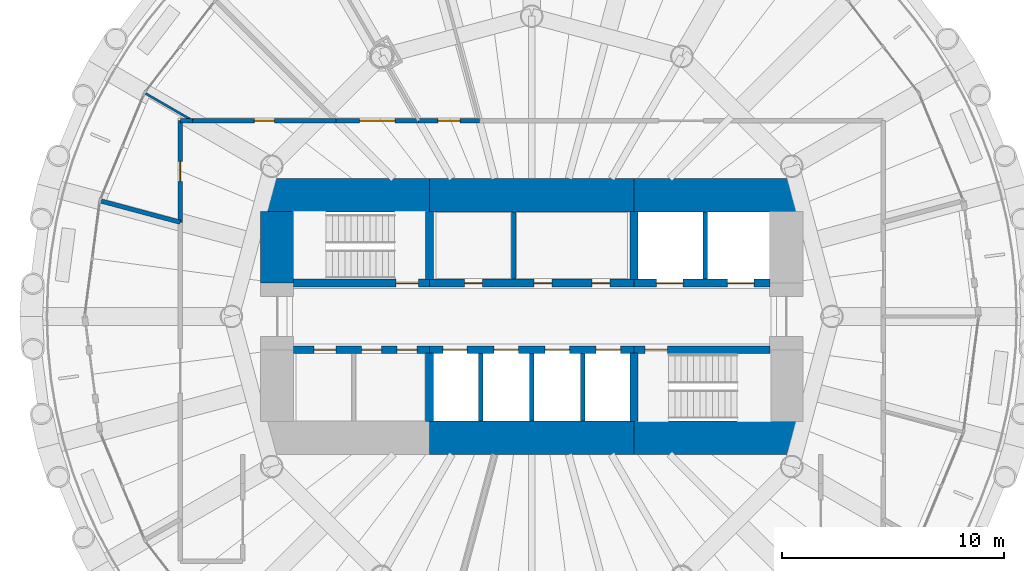
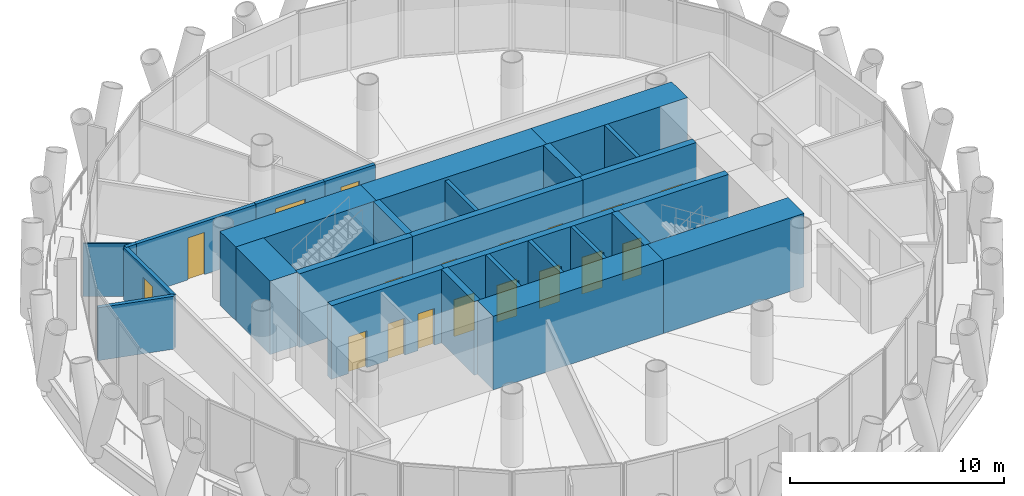
# One storey, part 9 of 14: 28 walls, 18 doors, 18 openings.
"""IFC4 building model written with IfcOpenShell, lengths in metres."""

from ifc_helpers import new_model, si_unit, direction, frame, frame_2d, origin, place, context, subcontext, project, spatial, rectangle, extrude, material, layer, layer_set, type_object, element, fill, save


model = new_model("IFC4")

# Units and contexts
model_context = context("Model", 3, precision=1e-05, world=origin(), true_north=direction((0.0, 1.0)))
body_context = subcontext(model_context, "Body", "Model", "MODEL_VIEW")
ifc_project = project(units=[si_unit("LENGTHUNIT", "METRE"), si_unit("AREAUNIT", "SQUARE_METRE"), si_unit("VOLUMEUNIT", "CUBIC_METRE"), si_unit("PLANEANGLEUNIT", "RADIAN"), si_unit("MASSUNIT", "GRAM", prefix="KILO")], contexts=[model_context])

# Site, building, storey
site_placement = place(None, origin())
site = spatial("IfcSite", under=ifc_project, at=site_placement, CompositionType="ELEMENT")
building_placement = place(site_placement, origin())
building = spatial("IfcBuilding", under=site, at=building_placement, Name="Qaws Media Tower", CompositionType="ELEMENT")
storey_placement = place(building_placement, frame((0.0, 0.0, 227.60009765625)))
storey = spatial("IfcBuildingStorey", under=building, at=storey_placement, Name="L52", CompositionType="ELEMENT", Elevation=227.60009765625)

# Wall, opening, door
ifc_material_1 = material(Name="Concrete C60/75", Category="concrete")
ifc_layer_1 = layer(ifc_material_1, 0.35009765625)
ifc_layer_set_1 = layer_set([ifc_layer_1], Name="Core inner wall 350")
wall_type_1 = type_object("IfcWallType", Name="Core inner wall 350", PredefinedType="SHEAR", material=ifc_layer_set_1)
wall_1_placement = place(storey_placement, frame((49.280029296875, 51.5, 0.0), z_axis=(0.0, 0.0, 1.0), x_axis=(1.0, 0.0, 0.0)))
wall_1 = element("IfcWall", 1, at=wall_1_placement, inside=storey, type_object=wall_type_1, Name="W301 SW5 core wall SPNW L52", PredefinedType="SHEAR", context=body_context, shape_type="SweptSolid", body=[
    extrude(rectangle(XDim=6.119873046875, YDim=0.35009765625, at=frame_2d((3.06005859375, 0.0))), origin(), (0.0, 0.0, 1.0), 4.199951171875),
])
opening_1_placement = place(wall_1_placement, frame((4.6201171875, 0.0, 0.0)))
opening_1 = element("IfcOpeningElement", 2, at=opening_1_placement, cuts=wall_1, Name="Opening D1", PredefinedType="OPENING", context=body_context, shape_type="SweptSolid", body=[
    extrude(rectangle(XDim=1.0, YDim=2.10009765625, at=frame_2d((0.5, 1.050048828125))), frame((0.0, 0.18505859375, 0.0), z_axis=(0.0, -1.0, 0.0), x_axis=(1.0, 0.0, 0.0)), (0.0, 0.0, 1.0), 0.3701171875),
])
ifc_material_2 = material(Name="Steel, fire rated", Category="steel")
door_type_1 = type_object("IfcDoorType", Name="Stair door 1000 FD120", OperationType="SINGLE_SWING_LEFT", PredefinedType="DOOR", material=ifc_material_2)
door_1_placement = place(opening_1_placement, origin())
door_1 = element("IfcDoor", 3, at=door_1_placement, inside=storey, type_object=door_type_1, Name="D1 stair S1 door L52 in wall W301", OperationType="SINGLE_SWING_LEFT", OverallHeight=2.10009765625, OverallWidth=1.0, PredefinedType="DOOR", context=body_context, shape_type="SweptSolid", body=[
    extrude(rectangle(XDim=1.0, YDim=2.10009765625, at=frame_2d((0.5, 1.050048828125))), frame((0.0, 0.02490234375, 0.0), z_axis=(0.0, -1.0, 0.0), x_axis=(1.0, 0.0, 0.0)), (0.0, 0.0, 1.0), 0.050048828125),
])
fill(opening_1, door_1)

# Wall, openings, doors
wall_2_placement = place(storey_placement, frame((55.39990234375, 51.5, 0.0), z_axis=(0.0, 0.0, 1.0), x_axis=(1.0, 0.0, 0.0)))
wall_2 = element("IfcWall", 4, at=wall_2_placement, inside=storey, type_object=wall_type_1, Name="W304 SW5 core wall SPN L52", PredefinedType="SHEAR", context=body_context, shape_type="SweptSolid", body=[
    extrude(rectangle(XDim=9.2001953125, YDim=0.35009765625, at=frame_2d((4.60009765625, 0.0))), origin(), (0.0, 0.0, 1.0), 4.199951171875),
])
opening_2_placement = place(wall_2_placement, frame((1.585205078125, 0.0, 0.0)))
opening_2 = element("IfcOpeningElement", 5, at=opening_2_placement, cuts=wall_2, Name="Opening D23", PredefinedType="OPENING", context=body_context, shape_type="SweptSolid", body=[
    extrude(rectangle(XDim=0.800048828125, YDim=2.10009765625, at=frame_2d((0.39990234375, 1.050048828125))), frame((0.0, 0.18505859375, 0.0), z_axis=(0.0, -1.0, 0.0), x_axis=(1.0, 0.0, 0.0)), (0.0, 0.0, 1.0), 0.3701171875),
])
opening_3_placement = place(wall_2_placement, frame((4.702880859375, 0.0, 0.0)))
opening_3 = element("IfcOpeningElement", 6, at=opening_3_placement, cuts=wall_2, Name="Opening D23", PredefinedType="OPENING", context=body_context, shape_type="SweptSolid", body=[
    extrude(rectangle(XDim=0.800048828125, YDim=2.10009765625, at=frame_2d((0.39990234375, 1.050048828125))), frame((0.0, 0.18505859375, 0.0), z_axis=(0.0, -1.0, 0.0), x_axis=(1.0, 0.0, 0.0)), (0.0, 0.0, 1.0), 0.3701171875),
])
opening_4_placement = place(wall_2_placement, frame((7.317626953125, 0.0, 0.0)))
opening_4 = element("IfcOpeningElement", 7, at=opening_4_placement, cuts=wall_2, Name="Opening D23", PredefinedType="OPENING", context=body_context, shape_type="SweptSolid", body=[
    extrude(rectangle(XDim=0.800048828125, YDim=2.10009765625, at=frame_2d((0.39990234375, 1.050048828125))), frame((0.0, 0.18505859375, 0.0), z_axis=(0.0, -1.0, 0.0), x_axis=(1.0, 0.0, 0.0)), (0.0, 0.0, 1.0), 0.3701171875),
])
ifc_material_3 = material(Name="Steel, fire rated", Category="steel")
door_type_2 = type_object("IfcDoorType", Name="Core room door 800x2100", OperationType="SINGLE_SWING_LEFT", PredefinedType="DOOR", material=ifc_material_3)
door_2_placement = place(opening_2_placement, origin())
door_2 = element("IfcDoor", 8, at=door_2_placement, inside=storey, type_object=door_type_2, Name="D23 Ladies toilets door L52 in wall W304", OperationType="SINGLE_SWING_LEFT", OverallHeight=2.10009765625, OverallWidth=0.800048828125, PredefinedType="DOOR", context=body_context, shape_type="SweptSolid", body=[
    extrude(rectangle(XDim=0.800048828125, YDim=2.10009765625, at=frame_2d((0.39990234375, 1.050048828125))), frame((0.0, 0.02490234375, 0.0), z_axis=(0.0, -1.0, 0.0), x_axis=(1.0, 0.0, 0.0)), (0.0, 0.0, 1.0), 0.050048828125),
])
fill(opening_2, door_2)
door_3_placement = place(opening_3_placement, origin())
door_3 = element("IfcDoor", 9, at=door_3_placement, inside=storey, type_object=door_type_2, Name="D23 Gents toilets door L52 2 in wall W304", OperationType="SINGLE_SWING_LEFT", OverallHeight=2.10009765625, OverallWidth=0.800048828125, PredefinedType="DOOR", context=body_context, shape_type="SweptSolid", body=[
    extrude(rectangle(XDim=0.800048828125, YDim=2.10009765625, at=frame_2d((0.39990234375, 1.050048828125))), frame((0.0, 0.02490234375, 0.0), z_axis=(0.0, -1.0, 0.0), x_axis=(1.0, 0.0, 0.0)), (0.0, 0.0, 1.0), 0.050048828125),
])
fill(opening_3, door_3)
door_4_placement = place(opening_4_placement, origin())
door_4 = element("IfcDoor", 10, at=door_4_placement, inside=storey, type_object=door_type_2, Name="D23 Gents toilets door L52 3 in wall W304", OperationType="SINGLE_SWING_LEFT", OverallHeight=2.10009765625, OverallWidth=0.800048828125, PredefinedType="DOOR", context=body_context, shape_type="SweptSolid", body=[
    extrude(rectangle(XDim=0.800048828125, YDim=2.10009765625, at=frame_2d((0.39990234375, 1.050048828125))), frame((0.0, 0.02490234375, 0.0), z_axis=(0.0, -1.0, 0.0), x_axis=(1.0, 0.0, 0.0)), (0.0, 0.0, 1.0), 0.050048828125),
])
fill(opening_4, door_4)

wall_3_placement = place(storey_placement, frame((64.60009765625, 51.5, 0.0), z_axis=(0.0, 0.0, 1.0), x_axis=(1.0, 0.0, 0.0)))
wall_3 = element("IfcWall", 11, at=wall_3_placement, inside=storey, type_object=wall_type_1, Name="W308 SW5 core wall SPNE L52", PredefinedType="SHEAR", context=body_context, shape_type="SweptSolid", body=[
    extrude(rectangle(XDim=6.119873046875, YDim=0.35009765625, at=frame_2d((3.06005859375, 0.0))), origin(), (0.0, 0.0, 1.0), 4.199951171875),
])
opening_5_placement = place(wall_3_placement, frame((1.0, 0.0, 0.0)))
opening_5 = element("IfcOpeningElement", 12, at=opening_5_placement, cuts=wall_3, Name="Opening LD2", PredefinedType="OPENING", context=body_context, shape_type="SweptSolid", body=[
    extrude(rectangle(XDim=1.199951171875, YDim=2.10009765625, at=frame_2d((0.60009765625, 1.050048828125))), frame((0.0, 0.18505859375, 0.0), z_axis=(0.0, -1.0, 0.0), x_axis=(1.0, 0.0, 0.0)), (0.0, 0.0, 1.0), 0.3701171875),
])
opening_6_placement = place(wall_3_placement, frame((4.199951171875, 0.0, 0.0)))
opening_6 = element("IfcOpeningElement", 13, at=opening_6_placement, cuts=wall_3, Name="Opening LD2", PredefinedType="OPENING", context=body_context, shape_type="SweptSolid", body=[
    extrude(rectangle(XDim=1.199951171875, YDim=2.10009765625, at=frame_2d((0.60009765625, 1.050048828125))), frame((0.0, 0.18505859375, 0.0), z_axis=(0.0, -1.0, 0.0), x_axis=(1.0, 0.0, 0.0)), (0.0, 0.0, 1.0), 0.3701171875),
])
ifc_material_4 = material(Name="Steel, fire rated", Category="steel")
door_type_3 = type_object("IfcDoorType", Name="Lift landing door 1200", OperationType="SLIDING_TO_LEFT", PredefinedType="DOOR", material=ifc_material_4)
door_5_placement = place(opening_5_placement, origin())
door_5 = element("IfcDoor", 14, at=door_5_placement, inside=storey, type_object=door_type_3, Name="FL1 landing door L52 in wall W308", OperationType="SLIDING_TO_LEFT", OverallHeight=2.10009765625, OverallWidth=1.199951171875, PredefinedType="DOOR", context=body_context, shape_type="SweptSolid", body=[
    extrude(rectangle(XDim=1.199951171875, YDim=2.10009765625, at=frame_2d((0.60009765625, 1.050048828125))), frame((0.0, 0.02490234375, 0.0), z_axis=(0.0, -1.0, 0.0), x_axis=(1.0, 0.0, 0.0)), (0.0, 0.0, 1.0), 0.050048828125),
])
fill(opening_5, door_5)
door_6_placement = place(opening_6_placement, origin())
door_6 = element("IfcDoor", 15, at=door_6_placement, inside=storey, type_object=door_type_3, Name="FL2 landing door L52 in wall W308", OperationType="SLIDING_TO_LEFT", OverallHeight=2.10009765625, OverallWidth=1.199951171875, PredefinedType="DOOR", context=body_context, shape_type="SweptSolid", body=[
    extrude(rectangle(XDim=1.199951171875, YDim=2.10009765625, at=frame_2d((0.60009765625, 1.050048828125))), frame((0.0, 0.02490234375, 0.0), z_axis=(0.0, -1.0, 0.0), x_axis=(1.0, 0.0, 0.0)), (0.0, 0.0, 1.0), 0.050048828125),
])
fill(opening_6, door_6)

wall_4_placement = place(storey_placement, frame((49.280029296875, 48.5, 0.0), z_axis=(0.0, 0.0, 1.0), x_axis=(1.0, 0.0, 0.0)))
wall_4 = element("IfcWall", 16, at=wall_4_placement, inside=storey, type_object=wall_type_1, Name="W300 SW5 core wall SPSW L52", PredefinedType="SHEAR", context=body_context, shape_type="SweptSolid", body=[
    extrude(rectangle(XDim=6.119873046875, YDim=0.35009765625, at=frame_2d((3.06005859375, 0.0))), origin(), (0.0, 0.0, 1.0), 4.199951171875),
])
opening_7_placement = place(wall_4_placement, frame((0.919921875, 0.0, 0.0)))
opening_7 = element("IfcOpeningElement", 17, at=opening_7_placement, cuts=wall_4, Name="Opening D4", PredefinedType="OPENING", context=body_context, shape_type="SweptSolid", body=[
    extrude(rectangle(XDim=1.0, YDim=2.10009765625, at=frame_2d((0.5, 1.050048828125))), frame((0.0, 0.18505859375, 0.0), z_axis=(0.0, -1.0, 0.0), x_axis=(1.0, 0.0, 0.0)), (0.0, 0.0, 1.0), 0.3701171875),
])
opening_8_placement = place(wall_4_placement, frame((3.070068359375, 0.0, 0.0)))
opening_8 = element("IfcOpeningElement", 18, at=opening_8_placement, cuts=wall_4, Name="Opening D3", PredefinedType="OPENING", context=body_context, shape_type="SweptSolid", body=[
    extrude(rectangle(XDim=0.89990234375, YDim=2.10009765625, at=frame_2d((0.449951171875, 1.050048828125))), frame((0.0, 0.18505859375, 0.0), z_axis=(0.0, -1.0, 0.0), x_axis=(1.0, 0.0, 0.0)), (0.0, 0.0, 1.0), 0.3701171875),
])
opening_9_placement = place(wall_4_placement, frame((4.669921875, 0.0, 0.0)))
opening_9 = element("IfcOpeningElement", 19, at=opening_9_placement, cuts=wall_4, Name="Opening D3", PredefinedType="OPENING", context=body_context, shape_type="SweptSolid", body=[
    extrude(rectangle(XDim=0.89990234375, YDim=2.10009765625, at=frame_2d((0.449951171875, 1.050048828125))), frame((0.0, 0.18505859375, 0.0), z_axis=(0.0, -1.0, 0.0), x_axis=(1.0, 0.0, 0.0)), (0.0, 0.0, 1.0), 0.3701171875),
])
ifc_material_5 = material(Name="Timber veneered", Category="wood")
door_type_4 = type_object("IfcDoorType", Name="Accessible WC door 1000", OperationType="SLIDING_TO_LEFT", PredefinedType="DOOR", material=ifc_material_5)
door_7_placement = place(opening_7_placement, origin())
door_7 = element("IfcDoor", 20, at=door_7_placement, inside=storey, type_object=door_type_4, Name="D4 toilet door 1 L52 in wall W300", OperationType="SLIDING_TO_LEFT", OverallHeight=2.10009765625, OverallWidth=1.0, PredefinedType="DOOR", context=body_context, shape_type="SweptSolid", body=[
    extrude(rectangle(XDim=1.0, YDim=2.10009765625, at=frame_2d((0.5, 1.050048828125))), frame((0.0, 0.02490234375, 0.0), z_axis=(0.0, -1.0, 0.0), x_axis=(1.0, 0.0, 0.0)), (0.0, 0.0, 1.0), 0.050048828125),
])
fill(opening_7, door_7)
ifc_material_6 = material(Name="Timber veneered", Category="wood")
door_type_5 = type_object("IfcDoorType", Name="Toilet door 900", OperationType="SINGLE_SWING_RIGHT", PredefinedType="DOOR", material=ifc_material_6)
door_8_placement = place(opening_8_placement, origin())
door_8 = element("IfcDoor", 21, at=door_8_placement, inside=storey, type_object=door_type_5, Name="D3 toilet door 2 L52 in wall W300", OperationType="SINGLE_SWING_RIGHT", OverallHeight=2.10009765625, OverallWidth=0.89990234375, PredefinedType="DOOR", context=body_context, shape_type="SweptSolid", body=[
    extrude(rectangle(XDim=0.89990234375, YDim=2.10009765625, at=frame_2d((0.449951171875, 1.050048828125))), frame((0.0, 0.02490234375, 0.0), z_axis=(0.0, -1.0, 0.0), x_axis=(1.0, 0.0, 0.0)), (0.0, 0.0, 1.0), 0.050048828125),
])
fill(opening_8, door_8)
door_9_placement = place(opening_9_placement, origin())
door_9 = element("IfcDoor", 22, at=door_9_placement, inside=storey, type_object=door_type_5, Name="D3 toilet door 3 L52 in wall W300", OperationType="SINGLE_SWING_RIGHT", OverallHeight=2.10009765625, OverallWidth=0.89990234375, PredefinedType="DOOR", context=body_context, shape_type="SweptSolid", body=[
    extrude(rectangle(XDim=0.89990234375, YDim=2.10009765625, at=frame_2d((0.449951171875, 1.050048828125))), frame((0.0, 0.02490234375, 0.0), z_axis=(0.0, -1.0, 0.0), x_axis=(1.0, 0.0, 0.0)), (0.0, 0.0, 1.0), 0.050048828125),
])
fill(opening_9, door_9)

wall_5_placement = place(storey_placement, frame((55.39990234375, 48.5, 0.0), z_axis=(0.0, 0.0, 1.0), x_axis=(1.0, 0.0, 0.0)))
wall_5 = element("IfcWall", 23, at=wall_5_placement, inside=storey, type_object=wall_type_1, Name="W303 SW5 core wall SPS L52", PredefinedType="SHEAR", context=body_context, shape_type="SweptSolid", body=[
    extrude(rectangle(XDim=9.2001953125, YDim=0.35009765625, at=frame_2d((4.60009765625, 0.0))), origin(), (0.0, 0.0, 1.0), 4.199951171875),
])
opening_10_placement = place(wall_5_placement, frame((0.60009765625, 0.0, 0.0)))
opening_10 = element("IfcOpeningElement", 24, at=opening_10_placement, cuts=wall_5, Name="Opening LD", PredefinedType="OPENING", context=body_context, shape_type="SweptSolid", body=[
    extrude(rectangle(XDim=1.10009765625, YDim=2.10009765625, at=frame_2d((0.550048828125, 1.050048828125))), frame((0.0, 0.18505859375, 0.0), z_axis=(0.0, -1.0, 0.0), x_axis=(1.0, 0.0, 0.0)), (0.0, 0.0, 1.0), 0.3701171875),
])
opening_11_placement = place(wall_5_placement, frame((2.89990234375, 0.0, 0.0)))
opening_11 = element("IfcOpeningElement", 25, at=opening_11_placement, cuts=wall_5, Name="Opening LD", PredefinedType="OPENING", context=body_context, shape_type="SweptSolid", body=[
    extrude(rectangle(XDim=1.10009765625, YDim=2.10009765625, at=frame_2d((0.550048828125, 1.050048828125))), frame((0.0, 0.18505859375, 0.0), z_axis=(0.0, -1.0, 0.0), x_axis=(1.0, 0.0, 0.0)), (0.0, 0.0, 1.0), 0.3701171875),
])
opening_12_placement = place(wall_5_placement, frame((5.199951171875, 0.0, 0.0)))
opening_12 = element("IfcOpeningElement", 26, at=opening_12_placement, cuts=wall_5, Name="Opening LD", PredefinedType="OPENING", context=body_context, shape_type="SweptSolid", body=[
    extrude(rectangle(XDim=1.10009765625, YDim=2.10009765625, at=frame_2d((0.550048828125, 1.050048828125))), frame((0.0, 0.18505859375, 0.0), z_axis=(0.0, -1.0, 0.0), x_axis=(1.0, 0.0, 0.0)), (0.0, 0.0, 1.0), 0.3701171875),
])
opening_13_placement = place(wall_5_placement, frame((7.5, 0.0, 0.0)))
opening_13 = element("IfcOpeningElement", 27, at=opening_13_placement, cuts=wall_5, Name="Opening LD", PredefinedType="OPENING", context=body_context, shape_type="SweptSolid", body=[
    extrude(rectangle(XDim=1.10009765625, YDim=2.10009765625, at=frame_2d((0.550048828125, 1.050048828125))), frame((0.0, 0.18505859375, 0.0), z_axis=(0.0, -1.0, 0.0), x_axis=(1.0, 0.0, 0.0)), (0.0, 0.0, 1.0), 0.3701171875),
])
ifc_material_7 = material(Name="Steel, fire rated", Category="steel")
door_type_6 = type_object("IfcDoorType", Name="Lift landing door 1100", OperationType="SLIDING_TO_LEFT", PredefinedType="DOOR", material=ifc_material_7)
door_10_placement = place(opening_10_placement, origin())
door_10 = element("IfcDoor", 28, at=door_10_placement, inside=storey, type_object=door_type_6, Name="P5 landing door L52 in wall W303", OperationType="SLIDING_TO_LEFT", OverallHeight=2.10009765625, OverallWidth=1.10009765625, PredefinedType="DOOR", context=body_context, shape_type="SweptSolid", body=[
    extrude(rectangle(XDim=1.10009765625, YDim=2.10009765625, at=frame_2d((0.550048828125, 1.050048828125))), frame((0.0, 0.02490234375, 0.0), z_axis=(0.0, -1.0, 0.0), x_axis=(1.0, 0.0, 0.0)), (0.0, 0.0, 1.0), 0.050048828125),
])
fill(opening_10, door_10)
door_11_placement = place(opening_11_placement, origin())
door_11 = element("IfcDoor", 29, at=door_11_placement, inside=storey, type_object=door_type_6, Name="P6 landing door L52 in wall W303", OperationType="SLIDING_TO_LEFT", OverallHeight=2.10009765625, OverallWidth=1.10009765625, PredefinedType="DOOR", context=body_context, shape_type="SweptSolid", body=[
    extrude(rectangle(XDim=1.10009765625, YDim=2.10009765625, at=frame_2d((0.550048828125, 1.050048828125))), frame((0.0, 0.02490234375, 0.0), z_axis=(0.0, -1.0, 0.0), x_axis=(1.0, 0.0, 0.0)), (0.0, 0.0, 1.0), 0.050048828125),
])
fill(opening_11, door_11)
door_12_placement = place(opening_12_placement, origin())
door_12 = element("IfcDoor", 30, at=door_12_placement, inside=storey, type_object=door_type_6, Name="P7 landing door L52 in wall W303", OperationType="SLIDING_TO_LEFT", OverallHeight=2.10009765625, OverallWidth=1.10009765625, PredefinedType="DOOR", context=body_context, shape_type="SweptSolid", body=[
    extrude(rectangle(XDim=1.10009765625, YDim=2.10009765625, at=frame_2d((0.550048828125, 1.050048828125))), frame((0.0, 0.02490234375, 0.0), z_axis=(0.0, -1.0, 0.0), x_axis=(1.0, 0.0, 0.0)), (0.0, 0.0, 1.0), 0.050048828125),
])
fill(opening_12, door_12)
door_13_placement = place(opening_13_placement, origin())
door_13 = element("IfcDoor", 31, at=door_13_placement, inside=storey, type_object=door_type_6, Name="P8 landing door L52 in wall W303", OperationType="SLIDING_TO_LEFT", OverallHeight=2.10009765625, OverallWidth=1.10009765625, PredefinedType="DOOR", context=body_context, shape_type="SweptSolid", body=[
    extrude(rectangle(XDim=1.10009765625, YDim=2.10009765625, at=frame_2d((0.550048828125, 1.050048828125))), frame((0.0, 0.02490234375, 0.0), z_axis=(0.0, -1.0, 0.0), x_axis=(1.0, 0.0, 0.0)), (0.0, 0.0, 1.0), 0.050048828125),
])
fill(opening_13, door_13)

# Wall, opening, door
wall_6_placement = place(storey_placement, frame((64.60009765625, 48.5, 0.0), z_axis=(0.0, 0.0, 1.0), x_axis=(1.0, 0.0, 0.0)))
wall_6 = element("IfcWall", 32, at=wall_6_placement, inside=storey, type_object=wall_type_1, Name="W307 SW5 core wall SPSE L52", PredefinedType="SHEAR", context=body_context, shape_type="SweptSolid", body=[
    extrude(rectangle(XDim=6.119873046875, YDim=0.35009765625, at=frame_2d((3.06005859375, 0.0))), origin(), (0.0, 0.0, 1.0), 4.199951171875),
])
opening_14_placement = place(wall_6_placement, frame((0.5, 0.0, 0.0)))
opening_14 = element("IfcOpeningElement", 33, at=opening_14_placement, cuts=wall_6, Name="Opening D1", PredefinedType="OPENING", context=body_context, shape_type="SweptSolid", body=[
    extrude(rectangle(XDim=1.0, YDim=2.10009765625, at=frame_2d((0.5, 1.050048828125))), frame((0.0, 0.18505859375, 0.0), z_axis=(0.0, -1.0, 0.0), x_axis=(1.0, 0.0, 0.0)), (0.0, 0.0, 1.0), 0.3701171875),
])
door_14_placement = place(opening_14_placement, origin())
door_14 = element("IfcDoor", 34, at=door_14_placement, inside=storey, type_object=door_type_1, Name="D1 stair S2 door L52 in wall W307", OperationType="SINGLE_SWING_LEFT", OverallHeight=2.10009765625, OverallWidth=1.0, PredefinedType="DOOR", context=body_context, shape_type="SweptSolid", body=[
    extrude(rectangle(XDim=1.0, YDim=2.10009765625, at=frame_2d((0.5, 1.050048828125))), frame((0.0, 0.02490234375, 0.0), z_axis=(0.0, -1.0, 0.0), x_axis=(1.0, 0.0, 0.0)), (0.0, 0.0, 1.0), 0.050048828125),
])
fill(opening_14, door_14)

# Walls
for number, where, z_axis, x_axis, name in (
    (35, (55.39990234375, 51.655029296875, 0.0), (0.0, 0.0, 1.0), (0.0, 1.0, 0.0), "W305 SW5 core wall XNW L52"),
    (36, (64.60009765625, 51.655029296875, 0.0), (0.0, 0.0, 1.0), (0.0, 1.0, 0.0), "W309 SW5 core wall XNE L52"),
    (37, (55.39990234375, 48.344970703125, 0.0), (0.0, 0.0, 1.0), (0.0, -1.0, 0.0), "W302 SW5 core wall XSW L52"),
    (38, (64.60009765625, 48.344970703125, 0.0), (0.0, 0.0, 1.0), (0.0, -1.0, 0.0), "W306 SW5 core wall XSE L52"),
):
    element("IfcWall", number, at=place(storey_placement, frame(where, z_axis=z_axis, x_axis=x_axis)), inside=storey, type_object=wall_type_1, Name=name, PredefinedType="SHEAR", context=body_context, shape_type="SweptSolid", body=[
        extrude(rectangle(XDim=3.06494140625, YDim=0.35009765625, at=frame_2d((1.532470703125, 0.0))), origin(), (0.0, 0.0, 1.0), 4.199951171875),
    ])
ifc_material_8 = material(Name="Concrete C60/75", Category="concrete")
ifc_layer_2 = layer(ifc_material_8, 1.5)
ifc_layer_set_2 = layer_set([ifc_layer_2], Name="Core wall 1500")
wall_type_2 = type_object("IfcWallType", Name="Core wall 1500", PredefinedType="SHEAR", material=ifc_layer_set_2)
wall_7_placement = place(storey_placement, frame((47.800048828125, 55.449951171875, 0.0), z_axis=(0.0, 0.0, 1.0), x_axis=(1.0, 0.0, 0.0)))
element("IfcWall", 39, at=wall_7_placement, inside=storey, type_object=wall_type_2, Name="W377 SW13 core wall NW L52", PredefinedType="SHEAR", context=body_context, shape_type="SweptSolid", body=[
    extrude(rectangle(XDim=7.599853515625, YDim=1.5, at=frame_2d((3.7998046875, 0.0))), origin(), (0.0, 0.0, 1.0), 4.199951171875),
])
wall_8_placement = place(storey_placement, frame((55.39990234375, 55.449951171875, 0.0), z_axis=(0.0, 0.0, 1.0), x_axis=(1.0, 0.0, 0.0)))
element("IfcWall", 40, at=wall_8_placement, inside=storey, type_object=wall_type_2, Name="W373 SW13 core wall N L52", PredefinedType="SHEAR", context=body_context, shape_type="SweptSolid", body=[
    extrude(rectangle(XDim=9.2001953125, YDim=1.5, at=frame_2d((4.60009765625, 0.0))), origin(), (0.0, 0.0, 1.0), 4.199951171875),
])
wall_9_placement = place(storey_placement, frame((64.60009765625, 55.449951171875, 0.0), z_axis=(0.0, 0.0, 1.0), x_axis=(1.0, 0.0, 0.0)))
element("IfcWall", 41, at=wall_9_placement, inside=storey, type_object=wall_type_2, Name="W382 SW13 core wall NE L52", PredefinedType="SHEAR", context=body_context, shape_type="SweptSolid", body=[
    extrude(rectangle(XDim=7.599853515625, YDim=1.5, at=frame_2d((3.7998046875, 0.0))), origin(), (0.0, 0.0, 1.0), 4.199951171875),
])
wall_10_placement = place(storey_placement, frame((55.39990234375, 44.550048828125, 0.0), z_axis=(0.0, 0.0, 1.0), x_axis=(1.0, 0.0, 0.0)))
element("IfcWall", 42, at=wall_10_placement, inside=storey, type_object=wall_type_2, Name="W372 SW13 core wall S L52", PredefinedType="SHEAR", context=body_context, shape_type="SweptSolid", body=[
    extrude(rectangle(XDim=9.2001953125, YDim=1.5, at=frame_2d((4.60009765625, 0.0))), origin(), (0.0, 0.0, 1.0), 4.199951171875),
])
wall_11_placement = place(storey_placement, frame((64.60009765625, 44.550048828125, 0.0), z_axis=(0.0, 0.0, 1.0), x_axis=(1.0, 0.0, 0.0)))
element("IfcWall", 43, at=wall_11_placement, inside=storey, type_object=wall_type_2, Name="W381 SW13 core wall SE L52", PredefinedType="SHEAR", context=body_context, shape_type="SweptSolid", body=[
    extrude(rectangle(XDim=7.599853515625, YDim=1.5, at=frame_2d((3.7998046875, 0.0))), origin(), (0.0, 0.0, 1.0), 4.199951171875),
])
wall_12_placement = place(storey_placement, frame((48.550048828125, 51.5, 0.0), z_axis=(0.0, 0.0, 1.0), x_axis=(0.0, 1.0, 0.0)))
element("IfcWall", 44, at=wall_12_placement, inside=storey, type_object=wall_type_2, Name="W380 SW13 core wall WN L52", PredefinedType="SHEAR", context=body_context, shape_type="SweptSolid", body=[
    extrude(rectangle(XDim=3.219970703125, YDim=1.5, at=frame_2d((1.60986328125, 0.0))), origin(), (0.0, 0.0, 1.0), 4.199951171875),
])
ifc_material_9 = material(Name="Gypsum board on 70 metal studs, single layer each side", Category="gypsum")
ifc_layer_3 = layer(ifc_material_9, 0.10009765625)
ifc_layer_set_3 = layer_set([ifc_layer_3], Name="Office stud partition 100")
wall_type_3 = type_object("IfcWallType", Name="Office stud partition 100", PredefinedType="PARTITIONING", material=ifc_layer_set_3)
wall_13_placement = place(storey_placement, frame((44.758056640625, 58.800048828125, 0.0), z_axis=(0.0, 0.0, 1.0), x_axis=(-0.86604842682, 0.499960120811, 0.0)))
element("IfcWall", 45, at=wall_13_placement, inside=storey, type_object=wall_type_3, Name="W693 IW4 partition L52", PredefinedType="PARTITIONING", context=body_context, shape_type="SweptSolid", body=[
    extrude(rectangle(XDim=2.460205078125, YDim=0.10009765625, at=frame_2d((1.22998046875, 0.0))), origin(), (0.0, 0.0, 1.0), 3.02001953125),
])
ifc_material_10 = material(Name="Gypsum board on galvanised metal studs, acoustic double stud, deflection head", Category="gypsum")
ifc_layer_4 = layer(ifc_material_10, 0.199951171875)
ifc_layer_set_4 = layer_set([ifc_layer_4], Name="Room partition 200")
wall_type_4 = type_object("IfcWallType", Name="Room partition 200", PredefinedType="PARTITIONING", material=ifc_layer_set_4)
wall_14_placement = place(storey_placement, frame((44.199951171875, 58.800048828125, 0.0), z_axis=(0.0, 0.0, 1.0), x_axis=(1.0, 0.0, 0.0)))
element("IfcWall", 46, at=wall_14_placement, inside=storey, type_object=wall_type_4, Name="W1613 IW3 partition L52", PredefinedType="PARTITIONING", context=body_context, shape_type="SweptSolid", body=[
    extrude(rectangle(XDim=0.55810546875, YDim=0.199951171875, at=frame_2d((0.279052734375, 0.0))), origin(), (0.0, 0.0, 1.0), 3.02001953125),
])

# Wall, opening, door
wall_15_placement = place(storey_placement, frame((44.758056640625, 58.800048828125, 0.0), z_axis=(0.0, 0.0, 1.0), x_axis=(1.0, 0.0, 0.0)))
wall_15 = element("IfcWall", 47, at=wall_15_placement, inside=storey, type_object=wall_type_4, Name="W1615 IW3 partition L52", PredefinedType="PARTITIONING", context=body_context, shape_type="SweptSolid", body=[
    extrude(rectangle(XDim=6.44189453125, YDim=0.199951171875, at=frame_2d((3.220947265625, 0.0))), origin(), (0.0, 0.0, 1.0), 3.02001953125),
])
opening_15_placement = place(wall_15_placement, frame((2.77099609375, 0.0, 0.0)))
opening_15 = element("IfcOpeningElement", 48, at=opening_15_placement, cuts=wall_15, Name="Opening D12", PredefinedType="OPENING", context=body_context, shape_type="SweptSolid", body=[
    extrude(rectangle(XDim=0.89990234375, YDim=2.39990234375, at=frame_2d((0.449951171875, 1.199951171875))), frame((0.0, 0.10986328125, 0.0), z_axis=(0.0, -1.0, 0.0), x_axis=(1.0, 0.0, 0.0)), (0.0, 0.0, 1.0), 0.219970703125),
])
ifc_material_11 = material(Name="Timber veneered, full height", Category="wood")
door_type_7 = type_object("IfcDoorType", Name="Office door 900x2400", OperationType="SINGLE_SWING_LEFT", PredefinedType="DOOR", material=ifc_material_11)
door_15_placement = place(opening_15_placement, origin())
door_15 = element("IfcDoor", 49, at=door_15_placement, inside=storey, type_object=door_type_7, Name="D12 Office door L52 in wall W1615", OperationType="SINGLE_SWING_LEFT", OverallHeight=2.39990234375, OverallWidth=0.89990234375, PredefinedType="DOOR", context=body_context, shape_type="SweptSolid", body=[
    extrude(rectangle(XDim=0.89990234375, YDim=2.39990234375, at=frame_2d((0.449951171875, 1.199951171875))), frame((0.0, 0.02490234375, 0.0), z_axis=(0.0, -1.0, 0.0), x_axis=(1.0, 0.0, 0.0)), (0.0, 0.0, 1.0), 0.050048828125),
])
fill(opening_15, door_15)

wall_16_placement = place(storey_placement, frame((51.199951171875, 58.800048828125, 0.0), z_axis=(0.0, 0.0, 1.0), x_axis=(1.0, 0.0, 0.0)))
wall_16 = element("IfcWall", 50, at=wall_16_placement, inside=storey, type_object=wall_type_4, Name="W1529 IW3 partition L52", PredefinedType="PARTITIONING", context=body_context, shape_type="SweptSolid", body=[
    extrude(rectangle(XDim=3.71923828125, YDim=0.199951171875, at=frame_2d((1.859619140625, 0.0))), origin(), (0.0, 0.0, 1.0), 3.039794921875),
])
opening_16_placement = place(wall_16_placement, frame((1.059814453125, 0.0, 0.0)))
opening_16 = element("IfcOpeningElement", 51, at=opening_16_placement, cuts=wall_16, Name="Opening D16", PredefinedType="OPENING", context=body_context, shape_type="SweptSolid", body=[
    extrude(rectangle(XDim=1.60009765625, YDim=2.39990234375, at=frame_2d((0.800048828125, 1.199951171875))), frame((0.0, 0.10986328125, 0.0), z_axis=(0.0, -1.0, 0.0), x_axis=(1.0, 0.0, 0.0)), (0.0, 0.0, 1.0), 0.219970703125),
])
ifc_material_12 = material(Name="Glazed aluminium, fire rated", Category="aluminium")
door_type_8 = type_object("IfcDoorType", Name="Tenant entrance door pair 1600x2400", OperationType="DOUBLE_DOOR_DOUBLE_SWING", PredefinedType="DOOR", material=ifc_material_12)
door_16_placement = place(opening_16_placement, origin())
door_16 = element("IfcDoor", 52, at=door_16_placement, inside=storey, type_object=door_type_8, Name="D16 Tenant reception door L52 in wall W1529", OperationType="DOUBLE_DOOR_DOUBLE_SWING", OverallHeight=2.39990234375, OverallWidth=1.60009765625, PredefinedType="DOOR", context=body_context, shape_type="SweptSolid", body=[
    extrude(rectangle(XDim=1.60009765625, YDim=2.39990234375, at=frame_2d((0.800048828125, 1.199951171875))), frame((0.0, 0.02490234375, 0.0), z_axis=(0.0, -1.0, 0.0), x_axis=(1.0, 0.0, 0.0)), (0.0, 0.0, 1.0), 0.050048828125),
])
fill(opening_16, door_16)

wall_17_placement = place(storey_placement, frame((54.919189453125, 58.800048828125, 0.0), z_axis=(0.0, 0.0, 1.0), x_axis=(1.0, 0.0, 0.0)))
wall_17 = element("IfcWall", 53, at=wall_17_placement, inside=storey, type_object=wall_type_4, Name="W1617 IW3 partition L52", PredefinedType="PARTITIONING", context=body_context, shape_type="SweptSolid", body=[
    extrude(rectangle(XDim=2.722900390625, YDim=0.199951171875, at=frame_2d((1.361328125, 0.0))), origin(), (0.0, 0.0, 1.0), 3.039794921875),
])
opening_17_placement = place(wall_17_placement, frame((0.861328125, 0.0, 0.0)))
opening_17 = element("IfcOpeningElement", 54, at=opening_17_placement, cuts=wall_17, Name="Opening D13", PredefinedType="OPENING", context=body_context, shape_type="SweptSolid", body=[
    extrude(rectangle(XDim=1.0, YDim=2.39990234375, at=frame_2d((0.5, 1.199951171875))), frame((0.0, 0.10986328125, 0.0), z_axis=(0.0, -1.0, 0.0), x_axis=(1.0, 0.0, 0.0)), (0.0, 0.0, 1.0), 0.219970703125),
])
ifc_material_13 = material(Name="Frameless toughened glass, acoustic seals", Category="glass")
door_type_9 = type_object("IfcDoorType", Name="Glazed meeting room door 1000x2400", OperationType="SINGLE_SWING_LEFT", PredefinedType="DOOR", material=ifc_material_13)
door_17_placement = place(opening_17_placement, origin())
door_17 = element("IfcDoor", 55, at=door_17_placement, inside=storey, type_object=door_type_9, Name="D13 Meeting room door L52 in wall W1617", OperationType="SINGLE_SWING_LEFT", OverallHeight=2.39990234375, OverallWidth=1.0, PredefinedType="DOOR", context=body_context, shape_type="SweptSolid", body=[
    extrude(rectangle(XDim=1.0, YDim=2.39990234375, at=frame_2d((0.5, 1.199951171875))), frame((0.0, 0.02490234375, 0.0), z_axis=(0.0, -1.0, 0.0), x_axis=(1.0, 0.0, 0.0)), (0.0, 0.0, 1.0), 0.050048828125),
])
fill(opening_17, door_17)

wall_18_placement = place(storey_placement, frame((44.199951171875, 54.233642578125, 0.0), z_axis=(0.0, 0.0, 1.0), x_axis=(0.0, 1.0, 0.0)))
wall_18 = element("IfcWall", 56, at=wall_18_placement, inside=storey, type_object=wall_type_4, Name="W1612 IW3 partition L52", PredefinedType="PARTITIONING", context=body_context, shape_type="SweptSolid", body=[
    extrude(rectangle(XDim=4.56640625, YDim=0.199951171875, at=frame_2d((2.283203125, 0.0))), origin(), (0.0, 0.0, 1.0), 3.02001953125),
])
opening_18_placement = place(wall_18_placement, frame((1.833251953125, 0.0, 0.0)))
opening_18 = element("IfcOpeningElement", 57, at=opening_18_placement, cuts=wall_18, Name="Opening D12", PredefinedType="OPENING", context=body_context, shape_type="SweptSolid", body=[
    extrude(rectangle(XDim=0.89990234375, YDim=2.39990234375, at=frame_2d((0.449951171875, 1.199951171875))), frame((0.0, 0.10986328125, 0.0), z_axis=(0.0, -1.0, 0.0), x_axis=(1.0, 0.0, 0.0)), (0.0, 0.0, 1.0), 0.219970703125),
])
door_18_placement = place(opening_18_placement, origin())
door_18 = element("IfcDoor", 58, at=door_18_placement, inside=storey, type_object=door_type_7, Name="D12 Office door L52 in wall W1612", OperationType="SINGLE_SWING_LEFT", OverallHeight=2.39990234375, OverallWidth=0.89990234375, PredefinedType="DOOR", context=body_context, shape_type="SweptSolid", body=[
    extrude(rectangle(XDim=0.89990234375, YDim=2.39990234375, at=frame_2d((0.449951171875, 1.199951171875))), frame((0.0, 0.02490234375, 0.0), z_axis=(0.0, -1.0, 0.0), x_axis=(1.0, 0.0, 0.0)), (0.0, 0.0, 1.0), 0.050048828125),
])
fill(opening_18, door_18)

# Walls
wall_19_placement = place(storey_placement, frame((44.197509765625, 54.234375, 0.0), z_axis=(0.0, 0.0, 1.0), x_axis=(-0.965934209463, 0.258787756644, 0.0)))
element("IfcWall", 59, at=wall_19_placement, inside=storey, type_object=wall_type_4, Name="W1609 IW3 partition L52", PredefinedType="PARTITIONING", context=body_context, shape_type="SweptSolid", body=[
    extrude(rectangle(XDim=3.699951171875, YDim=0.199951171875, at=frame_2d((1.85009765625, 0.0))), origin(), (0.0, 0.0, 1.0), 3.02001953125),
])
wall_20_placement = place(storey_placement, frame((59.195556640625, 51.675048828125, 0.0), z_axis=(0.0, 0.0, 1.0), x_axis=(0.0, 1.0, 0.0)))
element("IfcWall", 60, at=wall_20_placement, inside=storey, type_object=wall_type_4, Name="W1536 IW3 core room partition 1 L52", PredefinedType="PARTITIONING", context=body_context, shape_type="SweptSolid", body=[
    extrude(rectangle(XDim=3.02490234375, YDim=0.199951171875, at=frame_2d((1.512451171875, 0.0))), origin(), (0.0, 0.0, 1.0), 4.039794921875),
])
ifc_material_14 = material(Name="Fire-rated gypsum board shaft wall on galvanised metal studs, deflection head", Category="gypsum")
ifc_layer_5 = layer(ifc_material_14, 0.199951171875)
ifc_layer_set_5 = layer_set([ifc_layer_5], Name="Shaft wall 200")
wall_type_5 = type_object("IfcWallType", Name="Shaft wall 200", PredefinedType="PARTITIONING", material=ifc_layer_set_5)
for number, where, z_axis, x_axis, name in (
    (61, (57.699951171875, 45.300048828125, 0.0), (0.0, 0.0, 1.0), (0.0, 1.0, 0.0), "W1871 IW1 shaft wall S1 L52"),
    (62, (60.0, 45.300048828125, 0.0), (0.0, 0.0, 1.0), (0.0, 1.0, 0.0), "W1872 IW1 shaft wall S2 L52"),
    (63, (62.300048828125, 45.300048828125, 0.0), (0.0, 0.0, 1.0), (0.0, 1.0, 0.0), "W1873 IW1 shaft wall S3 L52"),
    (64, (67.800048828125, 51.675048828125, 0.0), (0.0, 0.0, 1.0), (0.0, 1.0, 0.0), "W1874 IW1 shaft wall FL L52"),
):
    element("IfcWall", number, at=place(storey_placement, frame(where, z_axis=z_axis, x_axis=x_axis)), inside=storey, type_object=wall_type_5, Name=name, PredefinedType="PARTITIONING", context=body_context, shape_type="SweptSolid", body=[
        extrude(rectangle(XDim=3.02490234375, YDim=0.199951171875, at=frame_2d((1.512451171875, 0.0))), origin(), (0.0, 0.0, 1.0), 4.199951171875),
    ])

save(model, "model.ifc")
